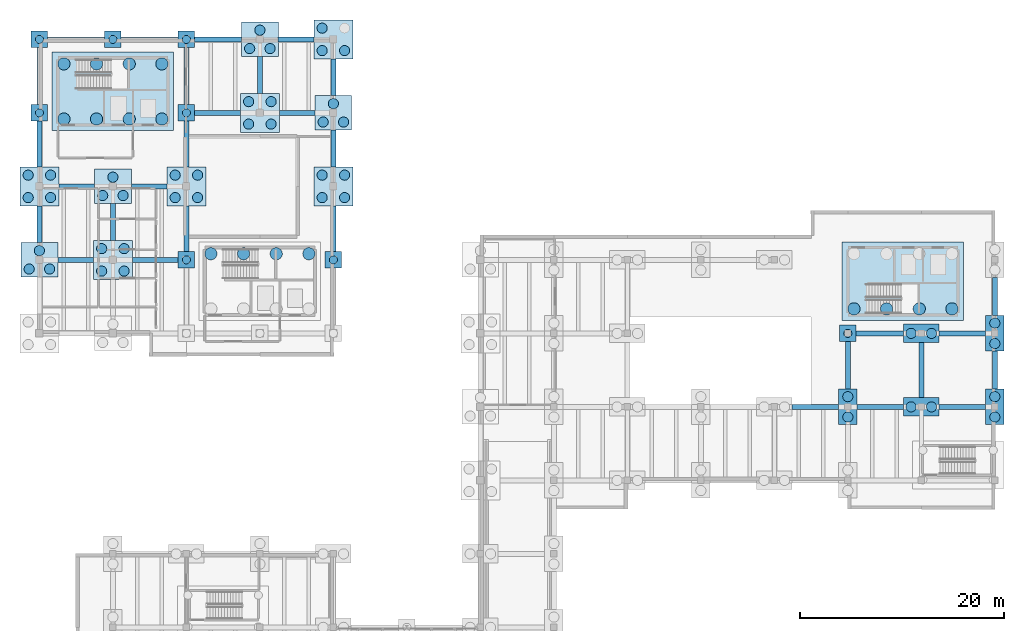
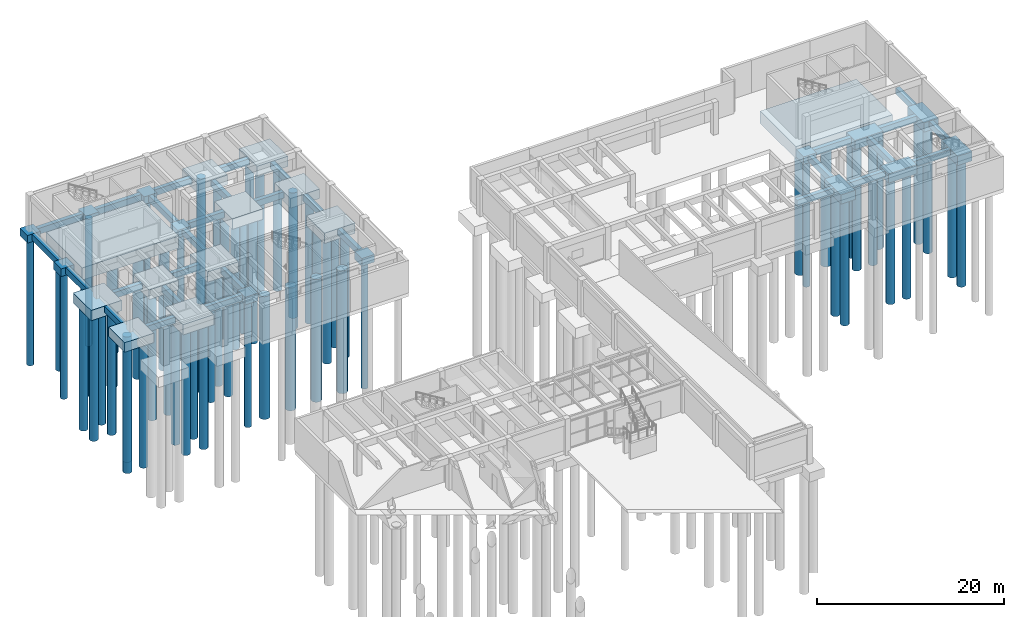
# One storey, part 3 of 28: 69 piles, 55 footings.
"""IFC4 building model written with IfcOpenShell, lengths in metres."""

from ifc_helpers import new_model, si_unit, direction, frame, origin, origin_2d, place, context, subcontext, project, spatial, rectangle, circle, extrude, material, material_profile, profile_set, type_object, element, save


model = new_model("IFC4")

# Units and contexts
model_context = context("Model", 3, precision=1e-05, world=origin(), true_north=direction((0.0, 1.0)))
body_context = subcontext(model_context, "Body", "Model", "MODEL_VIEW")
ifc_project = project(units=[si_unit("LENGTHUNIT", "METRE"), si_unit("AREAUNIT", "SQUARE_METRE"), si_unit("VOLUMEUNIT", "CUBIC_METRE"), si_unit("PLANEANGLEUNIT", "RADIAN"), si_unit("MASSUNIT", "GRAM", prefix="KILO")], contexts=[model_context])

# Site, building, storey
site_placement = place(None, origin())
site = spatial("IfcSite", under=ifc_project, at=site_placement, CompositionType="ELEMENT")
building_placement = place(site_placement, origin())
building = spatial("IfcBuilding", under=site, at=building_placement, Name="Bramvelor Terrace Health Centre", CompositionType="ELEMENT")
storey_placement = place(building_placement, frame((0.0, 0.0, -4.5)))
storey = spatial("IfcBuildingStorey", under=building, at=storey_placement, Name="B1", CompositionType="ELEMENT", Elevation=-4.5)

# Footings
ifc_material_1 = material(Name="Concrete C40/50", Category="concrete")
ifc_material_profile_1 = material_profile(ifc_material_1, rectangle(XDim=0.5, YDim=0.800048828125, at=origin_2d()), Name="RC 500x800")
ifc_profile_set_1 = profile_set([ifc_material_profile_1], Name="Concrete C40/50")
footing_type_1 = type_object("IfcFootingType", Name="FTG-FB-500x800", PredefinedType="FOOTING_BEAM", material=ifc_profile_set_1)
footing_1_placement = place(storey_placement, frame((1.800048828125, 93.60009765625, -0.89990234375), z_axis=(1.0, 0.0, 0.0), x_axis=(0.0, 1.0, 0.0)))
element("IfcFooting", 1, at=footing_1_placement, inside=storey, type_object=footing_type_1, Name="B1 Ground Tie Beam X (0.0, 93.6)", PredefinedType="FOOTING_BEAM", context=body_context, shape_type="SweptSolid", body=[
    extrude(rectangle(XDim=0.5, YDim=0.800048828125, at=origin_2d()), origin(), (0.0, 0.0, 1.0), 3.5),
])
footing_2_placement = place(storey_placement, frame((0.0, 95.300048828125, -0.89990234375), z_axis=(0.0, 1.0, 0.0), x_axis=(-1.0, 0.0, 0.0)))
element("IfcFooting", 2, at=footing_2_placement, inside=storey, type_object=footing_type_1, Name="B1 Ground Tie Beam Y (0.0, 93.6)", PredefinedType="FOOTING_BEAM", context=body_context, shape_type="SweptSolid", body=[
    extrude(rectangle(XDim=0.5, YDim=0.800048828125, at=origin_2d()), origin(), (0.0, 0.0, 1.0), 3.599853515625),
])
footing_3_placement = place(storey_placement, frame((1.89990234375, 100.800048828125, -0.89990234375), z_axis=(1.0, 0.0, 0.0), x_axis=(0.0, 1.0, 0.0)))
element("IfcFooting", 3, at=footing_3_placement, inside=storey, type_object=footing_type_1, Name="B1 Ground Tie Beam X (0.0, 100.8)", PredefinedType="FOOTING_BEAM", context=body_context, shape_type="SweptSolid", body=[
    extrude(rectangle(XDim=0.5, YDim=0.800048828125, at=origin_2d()), origin(), (0.0, 0.0, 1.0), 3.5),
])
footing_4_placement = place(storey_placement, frame((0.0, 102.699951171875, -0.89990234375), z_axis=(0.0, 1.0, 0.0), x_axis=(-1.0, 0.0, 0.0)))
element("IfcFooting", 4, at=footing_4_placement, inside=storey, type_object=footing_type_1, Name="B1 Ground Tie Beam Y (0.0, 100.8)", PredefinedType="FOOTING_BEAM", context=body_context, shape_type="SweptSolid", body=[
    extrude(rectangle(XDim=0.5, YDim=0.800048828125, at=origin_2d()), origin(), (0.0, 0.0, 1.0), 4.5),
])
for number, where, z_axis, x_axis, name in (
    (5, (0.0, 108.800048828125, -0.89990234375), (0.0, 1.0, 0.0), (-1.0, 0.0, 0.0), "B1 Ground Tie Beam Y (0.0, 108.0)"),
    (6, (0.800048828125, 115.199951171875, -0.89990234375), (1.0, 0.0, 0.0), (0.0, 1.0, 0.0), "B1 Ground Tie Beam X (0.0, 115.2)"),
):
    element("IfcFooting", number, at=place(storey_placement, frame(where, z_axis=z_axis, x_axis=x_axis)), inside=storey, type_object=footing_type_1, Name=name, PredefinedType="FOOTING_BEAM", context=body_context, shape_type="SweptSolid", body=[
        extrude(rectangle(XDim=0.5, YDim=0.800048828125, at=origin_2d()), origin(), (0.0, 0.0, 1.0), 5.599853515625),
    ])
footing_5_placement = place(storey_placement, frame((9.10009765625, 93.60009765625, -0.89990234375), z_axis=(1.0, 0.0, 0.0), x_axis=(0.0, 1.0, 0.0)))
element("IfcFooting", 7, at=footing_5_placement, inside=storey, type_object=footing_type_1, Name="B1 Ground Tie Beam X (7.2, 93.6)", PredefinedType="FOOTING_BEAM", context=body_context, shape_type="SweptSolid", body=[
    extrude(rectangle(XDim=0.5, YDim=0.800048828125, at=origin_2d()), origin(), (0.0, 0.0, 1.0), 4.5),
])
footing_6_placement = place(storey_placement, frame((7.199951171875, 95.5, -0.89990234375), z_axis=(0.0, 1.0, 0.0), x_axis=(-1.0, 0.0, 0.0)))
element("IfcFooting", 8, at=footing_6_placement, inside=storey, type_object=footing_type_1, Name="B1 Ground Tie Beam Y (7.2, 93.6)", PredefinedType="FOOTING_BEAM", context=body_context, shape_type="SweptSolid", body=[
    extrude(rectangle(XDim=0.5, YDim=0.800048828125, at=origin_2d()), origin(), (0.0, 0.0, 1.0), 3.60009765625),
])
footing_7_placement = place(storey_placement, frame((9.0, 100.800048828125, -0.89990234375), z_axis=(1.0, 0.0, 0.0), x_axis=(0.0, 1.0, 0.0)))
element("IfcFooting", 9, at=footing_7_placement, inside=storey, type_object=footing_type_1, Name="B1 Ground Tie Beam X (7.2, 100.8)", PredefinedType="FOOTING_BEAM", context=body_context, shape_type="SweptSolid", body=[
    extrude(rectangle(XDim=0.5, YDim=0.800048828125, at=origin_2d()), origin(), (0.0, 0.0, 1.0), 3.5),
])
footing_8_placement = place(storey_placement, frame((8.0, 115.199951171875, -0.89990234375), z_axis=(1.0, 0.0, 0.0), x_axis=(0.0, 1.0, 0.0)))
element("IfcFooting", 10, at=footing_8_placement, inside=storey, type_object=footing_type_1, Name="B1 Ground Tie Beam X (7.2, 115.2)", PredefinedType="FOOTING_BEAM", context=body_context, shape_type="SweptSolid", body=[
    extrude(rectangle(XDim=0.5, YDim=0.800048828125, at=origin_2d()), origin(), (0.0, 0.0, 1.0), 5.60009765625),
])
for number, where, z_axis, x_axis, name in (
    (11, (14.39990234375, 94.39990234375, -0.89990234375), (0.0, 1.0, 0.0), (-1.0, 0.0, 0.0), "B1 Ground Tie Beam Y (14.4, 93.6)"),
    (12, (14.39990234375, 102.699951171875, -0.89990234375), (0.0, 1.0, 0.0), (-1.0, 0.0, 0.0), "B1 Ground Tie Beam Y (14.4, 100.8)"),
    (13, (15.199951171875, 108.0, -0.89990234375), (1.0, 0.0, 0.0), (0.0, 1.0, 0.0), "B1 Ground Tie Beam X (14.4, 108.0)"),
):
    element("IfcFooting", number, at=place(storey_placement, frame(where, z_axis=z_axis, x_axis=x_axis)), inside=storey, type_object=footing_type_1, Name=name, PredefinedType="FOOTING_BEAM", context=body_context, shape_type="SweptSolid", body=[
        extrude(rectangle(XDim=0.5, YDim=0.800048828125, at=origin_2d()), origin(), (0.0, 0.0, 1.0), 4.5),
    ])
footing_9_placement = place(storey_placement, frame((14.39990234375, 108.800048828125, -0.89990234375), z_axis=(0.0, 1.0, 0.0), x_axis=(-1.0, 0.0, 0.0)))
element("IfcFooting", 14, at=footing_9_placement, inside=storey, type_object=footing_type_1, Name="B1 Ground Tie Beam Y (14.4, 108.0)", PredefinedType="FOOTING_BEAM", context=body_context, shape_type="SweptSolid", body=[
    extrude(rectangle(XDim=0.5, YDim=0.800048828125, at=origin_2d()), origin(), (0.0, 0.0, 1.0), 5.599853515625),
])
footing_10_placement = place(storey_placement, frame((15.199951171875, 115.199951171875, -0.89990234375), z_axis=(1.0, 0.0, 0.0), x_axis=(0.0, 1.0, 0.0)))
element("IfcFooting", 15, at=footing_10_placement, inside=storey, type_object=footing_type_1, Name="B1 Ground Tie Beam X (14.4, 115.2)", PredefinedType="FOOTING_BEAM", context=body_context, shape_type="SweptSolid", body=[
    extrude(rectangle(XDim=0.5, YDim=0.800048828125, at=origin_2d()), origin(), (0.0, 0.0, 1.0), 4.60009765625),
])
footing_11_placement = place(storey_placement, frame((23.5, 108.0, -0.89990234375), z_axis=(1.0, 0.0, 0.0), x_axis=(0.0, 1.0, 0.0)))
element("IfcFooting", 16, at=footing_11_placement, inside=storey, type_object=footing_type_1, Name="B1 Ground Tie Beam X (21.6, 108.0)", PredefinedType="FOOTING_BEAM", context=body_context, shape_type="SweptSolid", body=[
    extrude(rectangle(XDim=0.5, YDim=0.800048828125, at=origin_2d()), origin(), (0.0, 0.0, 1.0), 3.5),
])
footing_12_placement = place(storey_placement, frame((21.60009765625, 109.89990234375, -0.89990234375), z_axis=(0.0, 1.0, 0.0), x_axis=(-1.0, 0.0, 0.0)))
element("IfcFooting", 17, at=footing_12_placement, inside=storey, type_object=footing_type_1, Name="B1 Ground Tie Beam Y (21.6, 108.0)", PredefinedType="FOOTING_BEAM", context=body_context, shape_type="SweptSolid", body=[
    extrude(rectangle(XDim=0.5, YDim=0.800048828125, at=origin_2d()), origin(), (0.0, 0.0, 1.0), 3.60009765625),
])
footing_13_placement = place(storey_placement, frame((23.39990234375, 115.199951171875, -0.89990234375), z_axis=(1.0, 0.0, 0.0), x_axis=(0.0, 1.0, 0.0)))
element("IfcFooting", 18, at=footing_13_placement, inside=storey, type_object=footing_type_1, Name="B1 Ground Tie Beam X (21.6, 115.2)", PredefinedType="FOOTING_BEAM", context=body_context, shape_type="SweptSolid", body=[
    extrude(rectangle(XDim=0.5, YDim=0.800048828125, at=origin_2d()), origin(), (0.0, 0.0, 1.0), 3.5),
])
footing_14_placement = place(storey_placement, frame((28.800048828125, 94.39990234375, -0.89990234375), z_axis=(0.0, 1.0, 0.0), x_axis=(-1.0, 0.0, 0.0)))
element("IfcFooting", 19, at=footing_14_placement, inside=storey, type_object=footing_type_1, Name="B1 Ground Tie Beam Y (28.8, 93.6)", PredefinedType="FOOTING_BEAM", context=body_context, shape_type="SweptSolid", body=[
    extrude(rectangle(XDim=0.5, YDim=0.800048828125, at=origin_2d()), origin(), (0.0, 0.0, 1.0), 4.5),
])
for number, where, z_axis, x_axis, name in (
    (20, (28.800048828125, 102.699951171875, -0.89990234375), (0.0, 1.0, 0.0), (-1.0, 0.0, 0.0), "B1 Ground Tie Beam Y (28.8, 100.8)"),
    (21, (28.800048828125, 109.699951171875, -0.89990234375), (0.0, 1.0, 0.0), (-1.0, 0.0, 0.0), "B1 Ground Tie Beam Y (28.8, 108.0)"),
):
    element("IfcFooting", number, at=place(storey_placement, frame(where, z_axis=z_axis, x_axis=x_axis)), inside=storey, type_object=footing_type_1, Name=name, PredefinedType="FOOTING_BEAM", context=body_context, shape_type="SweptSolid", body=[
        extrude(rectangle(XDim=0.5, YDim=0.800048828125, at=origin_2d()), origin(), (0.0, 0.0, 1.0), 3.60009765625),
    ])
footing_15_placement = place(storey_placement, frame((73.75, 79.199951171875, -0.89990234375), z_axis=(1.0, 0.0, 0.0), x_axis=(0.0, 1.0, 0.0)))
element("IfcFooting", 22, at=footing_15_placement, inside=storey, type_object=footing_type_1, Name="B1 Ground Tie Beam X (72.0, 79.2)", PredefinedType="FOOTING_BEAM", context=body_context, shape_type="SweptSolid", body=[
    extrude(rectangle(XDim=0.5, YDim=0.800048828125, at=origin_2d()), origin(), (0.0, 0.0, 1.0), 4.550048828125),
])
footing_16_placement = place(storey_placement, frame((80.10009765625, 79.199951171875, -0.89990234375), z_axis=(1.0, 0.0, 0.0), x_axis=(0.0, 1.0, 0.0)))
element("IfcFooting", 23, at=footing_16_placement, inside=storey, type_object=footing_type_1, Name="B1 Ground Tie Beam X (79.2, 79.2)", PredefinedType="FOOTING_BEAM", context=body_context, shape_type="SweptSolid", body=[
    extrude(rectangle(XDim=0.5, YDim=0.800048828125, at=origin_2d()), origin(), (0.0, 0.0, 1.0), 4.5498046875),
])
footing_17_placement = place(storey_placement, frame((79.199951171875, 80.949951171875, -0.89990234375), z_axis=(0.0, 1.0, 0.0), x_axis=(-1.0, 0.0, 0.0)))
element("IfcFooting", 24, at=footing_17_placement, inside=storey, type_object=footing_type_1, Name="B1 Ground Tie Beam Y (79.2, 79.2)", PredefinedType="FOOTING_BEAM", context=body_context, shape_type="SweptSolid", body=[
    extrude(rectangle(XDim=0.5, YDim=0.800048828125, at=origin_2d()), origin(), (0.0, 0.0, 1.0), 4.650146484375),
])
footing_18_placement = place(storey_placement, frame((80.0, 86.39990234375, -0.89990234375), z_axis=(1.0, 0.0, 0.0), x_axis=(0.0, 1.0, 0.0)))
element("IfcFooting", 25, at=footing_18_placement, inside=storey, type_object=footing_type_1, Name="B1 Ground Tie Beam X (79.2, 86.4)", PredefinedType="FOOTING_BEAM", context=body_context, shape_type="SweptSolid", body=[
    extrude(rectangle(XDim=0.5, YDim=0.800048828125, at=origin_2d()), origin(), (0.0, 0.0, 1.0), 4.64990234375),
])
footing_19_placement = place(storey_placement, frame((88.14990234375, 79.199951171875, -0.89990234375), z_axis=(1.0, 0.0, 0.0), x_axis=(0.0, 1.0, 0.0)))
element("IfcFooting", 26, at=footing_19_placement, inside=storey, type_object=footing_type_1, Name="B1 Ground Tie Beam X (86.4, 79.2)", PredefinedType="FOOTING_BEAM", context=body_context, shape_type="SweptSolid", body=[
    extrude(rectangle(XDim=0.5, YDim=0.800048828125, at=origin_2d()), origin(), (0.0, 0.0, 1.0), 4.550048828125),
])
footing_20_placement = place(storey_placement, frame((86.39990234375, 80.10009765625, -0.89990234375), z_axis=(0.0, 1.0, 0.0), x_axis=(-1.0, 0.0, 0.0)))
element("IfcFooting", 27, at=footing_20_placement, inside=storey, type_object=footing_type_1, Name="B1 Ground Tie Beam Y (86.4, 79.2)", PredefinedType="FOOTING_BEAM", context=body_context, shape_type="SweptSolid", body=[
    extrude(rectangle(XDim=0.5, YDim=0.800048828125, at=origin_2d()), origin(), (0.0, 0.0, 1.0), 5.39990234375),
])
footing_21_placement = place(storey_placement, frame((88.14990234375, 86.39990234375, -0.89990234375), z_axis=(1.0, 0.0, 0.0), x_axis=(0.0, 1.0, 0.0)))
element("IfcFooting", 28, at=footing_21_placement, inside=storey, type_object=footing_type_1, Name="B1 Ground Tie Beam X (86.4, 86.4)", PredefinedType="FOOTING_BEAM", context=body_context, shape_type="SweptSolid", body=[
    extrude(rectangle(XDim=0.5, YDim=0.800048828125, at=origin_2d()), origin(), (0.0, 0.0, 1.0), 4.550048828125),
])
footing_22_placement = place(storey_placement, frame((93.60009765625, 80.949951171875, -0.89990234375), z_axis=(0.0, 1.0, 0.0), x_axis=(-1.0, 0.0, 0.0)))
element("IfcFooting", 29, at=footing_22_placement, inside=storey, type_object=footing_type_1, Name="B1 Ground Tie Beam Y (93.6, 79.2)", PredefinedType="FOOTING_BEAM", context=body_context, shape_type="SweptSolid", body=[
    extrude(rectangle(XDim=0.5, YDim=0.800048828125, at=origin_2d()), origin(), (0.0, 0.0, 1.0), 3.699951171875),
])
footing_23_placement = place(storey_placement, frame((93.60009765625, 88.14990234375, -0.89990234375), z_axis=(0.0, 1.0, 0.0), x_axis=(-1.0, 0.0, 0.0)))
element("IfcFooting", 30, at=footing_23_placement, inside=storey, type_object=footing_type_1, Name="B1 Ground Tie Beam Y (93.6, 86.4)", PredefinedType="FOOTING_BEAM", context=body_context, shape_type="SweptSolid", body=[
    extrude(rectangle(XDim=0.5, YDim=0.800048828125, at=origin_2d()), origin(), (0.0, 0.0, 1.0), 3.7001953125),
])
ifc_material_2 = material(Name="Concrete C40/50", Category="concrete")
footing_type_2 = type_object("IfcFootingType", Name="FTG-PC-1P-800", PredefinedType="PILE_CAP", material=ifc_material_2)
for number, where, z_axis, x_axis, name in (
    (31, (0.0, 108.0, -1.5), (0.0, 0.0, 1.0), (1.0, 0.0, 0.0), "B1 Pile Cap (0.0, 108.0)"),
    (32, (0.0, 115.199951171875, -1.5), (0.0, 0.0, 1.0), (1.0, 0.0, 0.0), "B1 Pile Cap (0.0, 115.2)"),
    (33, (7.199951171875, 115.199951171875, -1.5), (0.0, 0.0, 1.0), (1.0, 0.0, 0.0), "B1 Pile Cap (7.2, 115.2)"),
    (34, (14.39990234375, 93.60009765625, -1.5), (0.0, 0.0, 1.0), (1.0, 0.0, 0.0), "B1 Pile Cap (14.4, 93.6)"),
    (35, (14.39990234375, 108.0, -1.5), (0.0, 0.0, 1.0), (1.0, 0.0, 0.0), "B1 Pile Cap (14.4, 108.0)"),
    (36, (14.39990234375, 115.199951171875, -1.5), (0.0, 0.0, 1.0), (1.0, 0.0, 0.0), "B1 Pile Cap (14.4, 115.2)"),
    (37, (28.800048828125, 93.60009765625, -1.5), (0.0, 0.0, 1.0), (1.0, 0.0, 0.0), "B1 Pile Cap (28.8, 93.6)"),
    (38, (79.199951171875, 86.39990234375, -1.5), (0.0, 0.0, 1.0), (1.0, 0.0, 0.0), "B1 Pile Cap (79.2, 86.4)"),
):
    element("IfcFooting", number, at=place(storey_placement, frame(where, z_axis=z_axis, x_axis=x_axis)), inside=storey, type_object=footing_type_2, Name=name, PredefinedType="PILE_CAP", context=body_context, shape_type="SweptSolid", body=[
        extrude(rectangle(XDim=1.60009765625, YDim=1.60009765625, at=origin_2d()), origin(), (0.0, 0.0, 1.0), 1.0),
    ])
ifc_material_3 = material(Name="Concrete C40/50", Category="concrete")
footing_type_3 = type_object("IfcFootingType", Name="FTG-PC-2PX-1000", PredefinedType="PILE_CAP", material=ifc_material_3)
for number, where, z_axis, x_axis, name in (
    (39, (86.39990234375, 79.199951171875, -1.7001953125), (0.0, 0.0, 1.0), (1.0, 0.0, 0.0), "B1 Pile Cap (86.4, 79.2)"),
    (40, (86.39990234375, 86.39990234375, -1.7001953125), (0.0, 0.0, 1.0), (1.0, 0.0, 0.0), "B1 Pile Cap (86.4, 86.4)"),
):
    element("IfcFooting", number, at=place(storey_placement, frame(where, z_axis=z_axis, x_axis=x_axis)), inside=storey, type_object=footing_type_3, Name=name, PredefinedType="PILE_CAP", context=body_context, shape_type="SweptSolid", body=[
        extrude(rectangle(XDim=3.5, YDim=1.800048828125, at=origin_2d()), origin(), (0.0, 0.0, 1.0), 1.199951171875),
    ])
ifc_material_4 = material(Name="Concrete C40/50", Category="concrete")
footing_type_4 = type_object("IfcFootingType", Name="FTG-PC-2PY-1000", PredefinedType="PILE_CAP", material=ifc_material_4)
for number, where, z_axis, x_axis, name in (
    (41, (79.199951171875, 79.199951171875, -1.7001953125), (0.0, 0.0, 1.0), (1.0, 0.0, 0.0), "B1 Pile Cap (79.2, 79.2)"),
    (42, (93.60009765625, 79.199951171875, -1.7001953125), (0.0, 0.0, 1.0), (1.0, 0.0, 0.0), "B1 Pile Cap (93.6, 79.2)"),
    (43, (93.60009765625, 86.39990234375, -1.7001953125), (0.0, 0.0, 1.0), (1.0, 0.0, 0.0), "B1 Pile Cap (93.6, 86.4)"),
):
    element("IfcFooting", number, at=place(storey_placement, frame(where, z_axis=z_axis, x_axis=x_axis)), inside=storey, type_object=footing_type_4, Name=name, PredefinedType="PILE_CAP", context=body_context, shape_type="SweptSolid", body=[
        extrude(rectangle(XDim=1.800048828125, YDim=3.5, at=origin_2d()), origin(), (0.0, 0.0, 1.0), 1.199951171875),
    ])
ifc_material_5 = material(Name="Concrete C40/50", Category="concrete")
footing_type_5 = type_object("IfcFootingType", Name="FTG-PC-3P-1000", PredefinedType="PILE_CAP", material=ifc_material_5)
for number, where, z_axis, x_axis, name in (
    (44, (0.0, 93.60009765625, -1.75), (0.0, 0.0, 1.0), (1.0, 0.0, 0.0), "B1 Pile Cap (0.0, 93.6)"),
    (45, (7.199951171875, 100.800048828125, -1.75), (0.0, 0.0, 1.0), (1.0, 0.0, 0.0), "B1 Pile Cap (7.2, 100.8)"),
    (46, (21.60009765625, 115.199951171875, -1.75), (0.0, 0.0, 1.0), (1.0, 0.0, 0.0), "B1 Pile Cap (21.6, 115.2)"),
    (47, (28.800048828125, 108.0, -1.75), (0.0, 0.0, 1.0), (1.0, 0.0, 0.0), "B1 Pile Cap (28.8, 108.0)"),
):
    element("IfcFooting", number, at=place(storey_placement, frame(where, z_axis=z_axis, x_axis=x_axis)), inside=storey, type_object=footing_type_5, Name=name, PredefinedType="PILE_CAP", context=body_context, shape_type="SweptSolid", body=[
        extrude(rectangle(XDim=3.60009765625, YDim=3.39990234375, at=origin_2d()), origin(), (0.0, 0.0, 1.0), 1.25),
    ])
ifc_material_6 = material(Name="Concrete C40/50", Category="concrete")
footing_type_6 = type_object("IfcFootingType", Name="FTG-PC-4P-1000", PredefinedType="PILE_CAP", material=ifc_material_6)
for number, where, z_axis, x_axis, name in (
    (48, (0.0, 100.800048828125, -1.85009765625), (0.0, 0.0, 1.0), (1.0, 0.0, 0.0), "B1 Pile Cap (0.0, 100.8)"),
    (49, (7.199951171875, 93.60009765625, -1.85009765625), (0.0, 0.0, 1.0), (1.0, 0.0, 0.0), "B1 Pile Cap (7.2, 93.6)"),
    (50, (14.39990234375, 100.800048828125, -1.85009765625), (0.0, 0.0, 1.0), (1.0, 0.0, 0.0), "B1 Pile Cap (14.4, 100.8)"),
    (51, (21.60009765625, 108.0, -1.85009765625), (0.0, 0.0, 1.0), (1.0, 0.0, 0.0), "B1 Pile Cap (21.6, 108.0)"),
    (52, (28.800048828125, 100.800048828125, -1.85009765625), (0.0, 0.0, 1.0), (1.0, 0.0, 0.0), "B1 Pile Cap (28.8, 100.8)"),
    (53, (28.800048828125, 115.199951171875, -1.85009765625), (0.0, 0.0, 1.0), (1.0, 0.0, 0.0), "B1 Pile Cap (28.8, 115.2)"),
):
    element("IfcFooting", number, at=place(storey_placement, frame(where, z_axis=z_axis, x_axis=x_axis)), inside=storey, type_object=footing_type_6, Name=name, PredefinedType="PILE_CAP", context=body_context, shape_type="SweptSolid", body=[
        extrude(rectangle(XDim=3.800048828125, YDim=3.800048828125, at=origin_2d()), origin(), (0.0, 0.0, 1.0), 1.35009765625),
    ])
ifc_material_7 = material(Name="Concrete C40/50", Category="concrete")
footing_type_7 = type_object("IfcFootingType", Name="FTG-PC-CORE-C1", PredefinedType="PILE_CAP", material=ifc_material_7)
footing_24_placement = place(storey_placement, frame((7.199951171875, 110.10009765625, -2.10009765625), z_axis=(0.0, 0.0, 1.0), x_axis=(1.0, 0.0, 0.0)))
element("IfcFooting", 54, at=footing_24_placement, inside=storey, type_object=footing_type_7, Name="C1 Combined Core Pile Cap", PredefinedType="PILE_CAP", context=body_context, shape_type="SweptSolid", body=[
    extrude(rectangle(XDim=11.89990234375, YDim=7.699951171875, at=origin_2d()), origin(), (0.0, 0.0, 1.0), 1.60009765625),
])
ifc_material_8 = material(Name="Concrete C40/50", Category="concrete")
footing_type_8 = type_object("IfcFootingType", Name="FTG-PC-CORE-C4", PredefinedType="PILE_CAP", material=ifc_material_8)
footing_25_placement = place(storey_placement, frame((84.60009765625, 91.5, -2.10009765625), z_axis=(0.0, 0.0, 1.0), x_axis=(1.0, 0.0, 0.0)))
element("IfcFooting", 55, at=footing_25_placement, inside=storey, type_object=footing_type_8, Name="C4 Combined Core Pile Cap", PredefinedType="PILE_CAP", context=body_context, shape_type="SweptSolid", body=[
    extrude(rectangle(XDim=11.89990234375, YDim=7.699951171875, at=origin_2d()), origin(), (0.0, 0.0, 1.0), 1.60009765625),
])

# Piles
ifc_material_9 = material(Name="Concrete C40/50", Category="concrete")
ifc_material_profile_2 = material_profile(ifc_material_9, circle(Radius=0.5, at=origin_2d()), Name="BP D1000")
ifc_profile_set_2 = profile_set([ifc_material_profile_2], Name="Concrete C40/50")
pile_type_1 = type_object("IfcPileType", Name="PILE-BP-1000", PredefinedType="BORED", material=ifc_profile_set_2)
for number, where, z_axis, x_axis, name in (
    (56, (-1.0, 92.699951171875, -1.6298828125), (0.0, 0.0, -1.0), (1.0, 0.0, 0.0), "B1 Bored Pile (-1.0, 92.7)"),
    (57, (1.0, 92.699951171875, -1.6298828125), (0.0, 0.0, -1.0), (1.0, 0.0, 0.0), "B1 Bored Pile (1.0, 92.7)"),
    (58, (0.0, 94.5, -1.6298828125), (0.0, 0.0, -1.0), (1.0, 0.0, 0.0), "B1 Bored Pile (0.0, 94.5)"),
):
    element("IfcPile", number, at=place(storey_placement, frame(where, z_axis=z_axis, x_axis=x_axis)), inside=storey, type_object=pile_type_1, Name=name, PredefinedType="BORED", context=body_context, shape_type="SweptSolid", body=[
        extrude(circle(Radius=0.5, at=origin_2d()), origin(), (0.0, 0.0, 1.0), 16.3701171875),
    ])
for number, where, z_axis, x_axis, name in (
    (59, (-1.10009765625, 99.699951171875, -1.72998046875), (0.0, 0.0, -1.0), (1.0, 0.0, 0.0), "B1 Bored Pile (-1.1, 99.7)"),
    (60, (1.10009765625, 99.699951171875, -1.72998046875), (0.0, 0.0, -1.0), (1.0, 0.0, 0.0), "B1 Bored Pile (1.1, 99.7)"),
    (61, (-1.10009765625, 101.89990234375, -1.72998046875), (0.0, 0.0, -1.0), (1.0, 0.0, 0.0), "B1 Bored Pile (-1.1, 101.9)"),
    (62, (1.10009765625, 101.89990234375, -1.72998046875), (0.0, 0.0, -1.0), (1.0, 0.0, 0.0), "B1 Bored Pile (1.1, 101.9)"),
    (63, (6.10009765625, 92.5, -1.72998046875), (0.0, 0.0, -1.0), (1.0, 0.0, 0.0), "B1 Bored Pile (6.1, 92.5)"),
    (64, (8.300048828125, 92.5, -1.72998046875), (0.0, 0.0, -1.0), (1.0, 0.0, 0.0), "B1 Bored Pile (8.3, 92.5)"),
    (65, (6.10009765625, 94.699951171875, -1.72998046875), (0.0, 0.0, -1.0), (1.0, 0.0, 0.0), "B1 Bored Pile (6.1, 94.7)"),
    (66, (8.300048828125, 94.699951171875, -1.72998046875), (0.0, 0.0, -1.0), (1.0, 0.0, 0.0), "B1 Bored Pile (8.3, 94.7)"),
):
    element("IfcPile", number, at=place(storey_placement, frame(where, z_axis=z_axis, x_axis=x_axis)), inside=storey, type_object=pile_type_1, Name=name, PredefinedType="BORED", context=body_context, shape_type="SweptSolid", body=[
        extrude(circle(Radius=0.5, at=origin_2d()), origin(), (0.0, 0.0, 1.0), 16.27001953125),
    ])
for number, where, z_axis, x_axis, name in (
    (67, (6.199951171875, 99.89990234375, -1.6298828125), (0.0, 0.0, -1.0), (1.0, 0.0, 0.0), "B1 Bored Pile (6.2, 99.9)"),
    (68, (8.199951171875, 99.89990234375, -1.6298828125), (0.0, 0.0, -1.0), (1.0, 0.0, 0.0), "B1 Bored Pile (8.2, 99.9)"),
    (69, (7.199951171875, 101.699951171875, -1.6298828125), (0.0, 0.0, -1.0), (1.0, 0.0, 0.0), "B1 Bored Pile (7.2, 101.7)"),
):
    element("IfcPile", number, at=place(storey_placement, frame(where, z_axis=z_axis, x_axis=x_axis)), inside=storey, type_object=pile_type_1, Name=name, PredefinedType="BORED", context=body_context, shape_type="SweptSolid", body=[
        extrude(circle(Radius=0.5, at=origin_2d()), origin(), (0.0, 0.0, 1.0), 16.3701171875),
    ])
for number, where, z_axis, x_axis, name in (
    (70, (13.300048828125, 99.699951171875, -1.72998046875), (0.0, 0.0, -1.0), (1.0, 0.0, 0.0), "B1 Bored Pile (13.3, 99.7)"),
    (71, (15.5, 99.699951171875, -1.72998046875), (0.0, 0.0, -1.0), (1.0, 0.0, 0.0), "B1 Bored Pile (15.5, 99.7)"),
    (72, (13.300048828125, 101.89990234375, -1.72998046875), (0.0, 0.0, -1.0), (1.0, 0.0, 0.0), "B1 Bored Pile (13.3, 101.9)"),
    (73, (15.5, 101.89990234375, -1.72998046875), (0.0, 0.0, -1.0), (1.0, 0.0, 0.0), "B1 Bored Pile (15.5, 101.9)"),
    (74, (20.5, 106.89990234375, -1.72998046875), (0.0, 0.0, -1.0), (1.0, 0.0, 0.0), "B1 Bored Pile (20.5, 106.9)"),
    (75, (22.699951171875, 106.89990234375, -1.72998046875), (0.0, 0.0, -1.0), (1.0, 0.0, 0.0), "B1 Bored Pile (22.7, 106.9)"),
    (76, (20.5, 109.10009765625, -1.72998046875), (0.0, 0.0, -1.0), (1.0, 0.0, 0.0), "B1 Bored Pile (20.5, 109.1)"),
    (77, (22.699951171875, 109.10009765625, -1.72998046875), (0.0, 0.0, -1.0), (1.0, 0.0, 0.0), "B1 Bored Pile (22.7, 109.1)"),
):
    element("IfcPile", number, at=place(storey_placement, frame(where, z_axis=z_axis, x_axis=x_axis)), inside=storey, type_object=pile_type_1, Name=name, PredefinedType="BORED", context=body_context, shape_type="SweptSolid", body=[
        extrude(circle(Radius=0.5, at=origin_2d()), origin(), (0.0, 0.0, 1.0), 16.27001953125),
    ])
for number, where, z_axis, x_axis, name in (
    (78, (20.60009765625, 114.300048828125, -1.6298828125), (0.0, 0.0, -1.0), (1.0, 0.0, 0.0), "B1 Bored Pile (20.6, 114.3)"),
    (79, (22.60009765625, 114.300048828125, -1.6298828125), (0.0, 0.0, -1.0), (1.0, 0.0, 0.0), "B1 Bored Pile (22.6, 114.3)"),
    (80, (21.60009765625, 116.10009765625, -1.6298828125), (0.0, 0.0, -1.0), (1.0, 0.0, 0.0), "B1 Bored Pile (21.6, 116.1)"),
):
    element("IfcPile", number, at=place(storey_placement, frame(where, z_axis=z_axis, x_axis=x_axis)), inside=storey, type_object=pile_type_1, Name=name, PredefinedType="BORED", context=body_context, shape_type="SweptSolid", body=[
        extrude(circle(Radius=0.5, at=origin_2d()), origin(), (0.0, 0.0, 1.0), 16.3701171875),
    ])
for number, where, z_axis, x_axis, name in (
    (81, (27.699951171875, 99.699951171875, -1.72998046875), (0.0, 0.0, -1.0), (1.0, 0.0, 0.0), "B1 Bored Pile (27.7, 99.7)"),
    (82, (29.89990234375, 99.699951171875, -1.72998046875), (0.0, 0.0, -1.0), (1.0, 0.0, 0.0), "B1 Bored Pile (29.9, 99.7)"),
    (83, (27.699951171875, 101.89990234375, -1.72998046875), (0.0, 0.0, -1.0), (1.0, 0.0, 0.0), "B1 Bored Pile (27.7, 101.9)"),
    (84, (29.89990234375, 101.89990234375, -1.72998046875), (0.0, 0.0, -1.0), (1.0, 0.0, 0.0), "B1 Bored Pile (29.9, 101.9)"),
):
    element("IfcPile", number, at=place(storey_placement, frame(where, z_axis=z_axis, x_axis=x_axis)), inside=storey, type_object=pile_type_1, Name=name, PredefinedType="BORED", context=body_context, shape_type="SweptSolid", body=[
        extrude(circle(Radius=0.5, at=origin_2d()), origin(), (0.0, 0.0, 1.0), 16.27001953125),
    ])
for number, where, z_axis, x_axis, name in (
    (85, (27.800048828125, 107.10009765625, -1.6298828125), (0.0, 0.0, -1.0), (1.0, 0.0, 0.0), "B1 Bored Pile (27.8, 107.1)"),
    (86, (29.800048828125, 107.10009765625, -1.6298828125), (0.0, 0.0, -1.0), (1.0, 0.0, 0.0), "B1 Bored Pile (29.8, 107.1)"),
    (87, (28.800048828125, 108.89990234375, -1.6298828125), (0.0, 0.0, -1.0), (1.0, 0.0, 0.0), "B1 Bored Pile (28.8, 108.9)"),
):
    element("IfcPile", number, at=place(storey_placement, frame(where, z_axis=z_axis, x_axis=x_axis)), inside=storey, type_object=pile_type_1, Name=name, PredefinedType="BORED", context=body_context, shape_type="SweptSolid", body=[
        extrude(circle(Radius=0.5, at=origin_2d()), origin(), (0.0, 0.0, 1.0), 16.3701171875),
    ])
for number, where, z_axis, x_axis, name in (
    (88, (27.699951171875, 114.10009765625, -1.72998046875), (0.0, 0.0, -1.0), (1.0, 0.0, 0.0), "B1 Bored Pile (27.7, 114.1)"),
    (89, (29.89990234375, 114.10009765625, -1.72998046875), (0.0, 0.0, -1.0), (1.0, 0.0, 0.0), "B1 Bored Pile (29.9, 114.1)"),
    (90, (27.699951171875, 116.300048828125, -1.72998046875), (0.0, 0.0, -1.0), (1.0, 0.0, 0.0), "B1 Bored Pile (27.7, 116.3)"),
):
    element("IfcPile", number, at=place(storey_placement, frame(where, z_axis=z_axis, x_axis=x_axis)), inside=storey, type_object=pile_type_1, Name=name, PredefinedType="BORED", context=body_context, shape_type="SweptSolid", body=[
        extrude(circle(Radius=0.5, at=origin_2d()), origin(), (0.0, 0.0, 1.0), 16.27001953125),
    ])
for number, where, z_axis, x_axis, name in (
    (91, (79.199951171875, 78.199951171875, -1.580078125), (0.0, 0.0, -1.0), (1.0, 0.0, 0.0), "B1 Bored Pile (79.2, 78.2)"),
    (92, (79.199951171875, 80.199951171875, -1.580078125), (0.0, 0.0, -1.0), (1.0, 0.0, 0.0), "B1 Bored Pile (79.2, 80.2)"),
    (93, (85.39990234375, 79.199951171875, -1.580078125), (0.0, 0.0, -1.0), (1.0, 0.0, 0.0), "B1 Bored Pile (85.4, 79.2)"),
    (94, (87.39990234375, 79.199951171875, -1.580078125), (0.0, 0.0, -1.0), (1.0, 0.0, 0.0), "B1 Bored Pile (87.4, 79.2)"),
    (95, (85.39990234375, 86.39990234375, -1.580078125), (0.0, 0.0, -1.0), (1.0, 0.0, 0.0), "B1 Bored Pile (85.4, 86.4)"),
    (96, (87.39990234375, 86.39990234375, -1.580078125), (0.0, 0.0, -1.0), (1.0, 0.0, 0.0), "B1 Bored Pile (87.4, 86.4)"),
    (97, (93.60009765625, 78.199951171875, -1.580078125), (0.0, 0.0, -1.0), (1.0, 0.0, 0.0), "B1 Bored Pile (93.6, 78.2)"),
    (98, (93.60009765625, 80.199951171875, -1.580078125), (0.0, 0.0, -1.0), (1.0, 0.0, 0.0), "B1 Bored Pile (93.6, 80.2)"),
    (99, (93.60009765625, 85.39990234375, -1.580078125), (0.0, 0.0, -1.0), (1.0, 0.0, 0.0), "B1 Bored Pile (93.6, 85.4)"),
    (100, (93.60009765625, 87.39990234375, -1.580078125), (0.0, 0.0, -1.0), (1.0, 0.0, 0.0), "B1 Bored Pile (93.6, 87.4)"),
):
    element("IfcPile", number, at=place(storey_placement, frame(where, z_axis=z_axis, x_axis=x_axis)), inside=storey, type_object=pile_type_1, Name=name, PredefinedType="BORED", context=body_context, shape_type="SweptSolid", body=[
        extrude(circle(Radius=0.5, at=origin_2d()), origin(), (0.0, 0.0, 1.0), 16.419921875),
    ])
ifc_material_10 = material(Name="Concrete C40/50", Category="concrete")
ifc_material_profile_3 = material_profile(ifc_material_10, circle(Radius=0.60009765625, at=origin_2d()), Name="BP D1200")
ifc_profile_set_3 = profile_set([ifc_material_profile_3], Name="Concrete C40/50")
pile_type_2 = type_object("IfcPileType", Name="PILE-BP-1200", PredefinedType="BORED", material=ifc_profile_set_3)
for number, where, z_axis, x_axis, name in (
    (101, (2.39990234375, 107.39990234375, -1.97998046875), (0.0, 0.0, -1.0), (1.0, 0.0, 0.0), "C1 Bored Pile 1"),
    (102, (2.39990234375, 112.800048828125, -1.97998046875), (0.0, 0.0, -1.0), (1.0, 0.0, 0.0), "C1 Bored Pile 2"),
    (103, (5.60009765625, 107.39990234375, -1.97998046875), (0.0, 0.0, -1.0), (1.0, 0.0, 0.0), "C1 Bored Pile 3"),
    (104, (5.60009765625, 112.800048828125, -1.97998046875), (0.0, 0.0, -1.0), (1.0, 0.0, 0.0), "C1 Bored Pile 4"),
    (105, (8.800048828125, 107.39990234375, -1.97998046875), (0.0, 0.0, -1.0), (1.0, 0.0, 0.0), "C1 Bored Pile 5"),
    (106, (8.800048828125, 112.800048828125, -1.97998046875), (0.0, 0.0, -1.0), (1.0, 0.0, 0.0), "C1 Bored Pile 6"),
    (107, (12.0, 107.39990234375, -1.97998046875), (0.0, 0.0, -1.0), (1.0, 0.0, 0.0), "C1 Bored Pile 7"),
    (108, (12.0, 112.800048828125, -1.97998046875), (0.0, 0.0, -1.0), (1.0, 0.0, 0.0), "C1 Bored Pile 8"),
    (109, (16.800048828125, 94.199951171875, -1.97998046875), (0.0, 0.0, -1.0), (1.0, 0.0, 0.0), "C2 Bored Pile 2"),
    (110, (20.0, 94.199951171875, -1.97998046875), (0.0, 0.0, -1.0), (1.0, 0.0, 0.0), "C2 Bored Pile 4"),
    (111, (23.199951171875, 94.199951171875, -1.97998046875), (0.0, 0.0, -1.0), (1.0, 0.0, 0.0), "C2 Bored Pile 6"),
    (112, (26.39990234375, 94.199951171875, -1.97998046875), (0.0, 0.0, -1.0), (1.0, 0.0, 0.0), "C2 Bored Pile 8"),
    (113, (79.800048828125, 88.800048828125, -1.97998046875), (0.0, 0.0, -1.0), (1.0, 0.0, 0.0), "C4 Bored Pile 1"),
    (114, (83.0, 88.800048828125, -1.97998046875), (0.0, 0.0, -1.0), (1.0, 0.0, 0.0), "C4 Bored Pile 3"),
    (115, (86.199951171875, 88.800048828125, -1.97998046875), (0.0, 0.0, -1.0), (1.0, 0.0, 0.0), "C4 Bored Pile 5"),
    (116, (89.39990234375, 88.800048828125, -1.97998046875), (0.0, 0.0, -1.0), (1.0, 0.0, 0.0), "C4 Bored Pile 7"),
):
    element("IfcPile", number, at=place(storey_placement, frame(where, z_axis=z_axis, x_axis=x_axis)), inside=storey, type_object=pile_type_2, Name=name, PredefinedType="BORED", context=body_context, shape_type="SweptSolid", body=[
        extrude(circle(Radius=0.60009765625, at=origin_2d()), origin(), (0.0, 0.0, 1.0), 16.02001953125),
    ])
ifc_material_11 = material(Name="Concrete C40/50", Category="concrete")
ifc_material_profile_4 = material_profile(ifc_material_11, circle(Radius=0.39990234375, at=origin_2d()), Name="BP D800")
ifc_profile_set_4 = profile_set([ifc_material_profile_4], Name="Concrete C40/50")
pile_type_3 = type_object("IfcPileType", Name="PILE-BP-800", PredefinedType="BORED", material=ifc_profile_set_4)
for number, where, z_axis, x_axis, name in (
    (117, (0.0, 108.0, -1.3798828125), (0.0, 0.0, -1.0), (1.0, 0.0, 0.0), "B1 Bored Pile (0.0, 108.0)"),
    (118, (0.0, 115.199951171875, -1.3798828125), (0.0, 0.0, -1.0), (1.0, 0.0, 0.0), "B1 Bored Pile (0.0, 115.2)"),
    (119, (7.199951171875, 115.199951171875, -1.3798828125), (0.0, 0.0, -1.0), (1.0, 0.0, 0.0), "B1 Bored Pile (7.2, 115.2)"),
    (120, (14.39990234375, 93.60009765625, -1.3798828125), (0.0, 0.0, -1.0), (1.0, 0.0, 0.0), "B1 Bored Pile (14.4, 93.6)"),
    (121, (14.39990234375, 108.0, -1.3798828125), (0.0, 0.0, -1.0), (1.0, 0.0, 0.0), "B1 Bored Pile (14.4, 108.0)"),
    (122, (14.39990234375, 115.199951171875, -1.3798828125), (0.0, 0.0, -1.0), (1.0, 0.0, 0.0), "B1 Bored Pile (14.4, 115.2)"),
    (123, (28.800048828125, 93.60009765625, -1.3798828125), (0.0, 0.0, -1.0), (1.0, 0.0, 0.0), "B1 Bored Pile (28.8, 93.6)"),
    (124, (79.199951171875, 86.39990234375, -1.3798828125), (0.0, 0.0, -1.0), (1.0, 0.0, 0.0), "B1 Bored Pile (79.2, 86.4)"),
):
    element("IfcPile", number, at=place(storey_placement, frame(where, z_axis=z_axis, x_axis=x_axis)), inside=storey, type_object=pile_type_3, Name=name, PredefinedType="BORED", context=body_context, shape_type="SweptSolid", body=[
        extrude(circle(Radius=0.39990234375, at=origin_2d()), origin(), (0.0, 0.0, 1.0), 16.6201171875),
    ])

save(model, "model.ifc")
